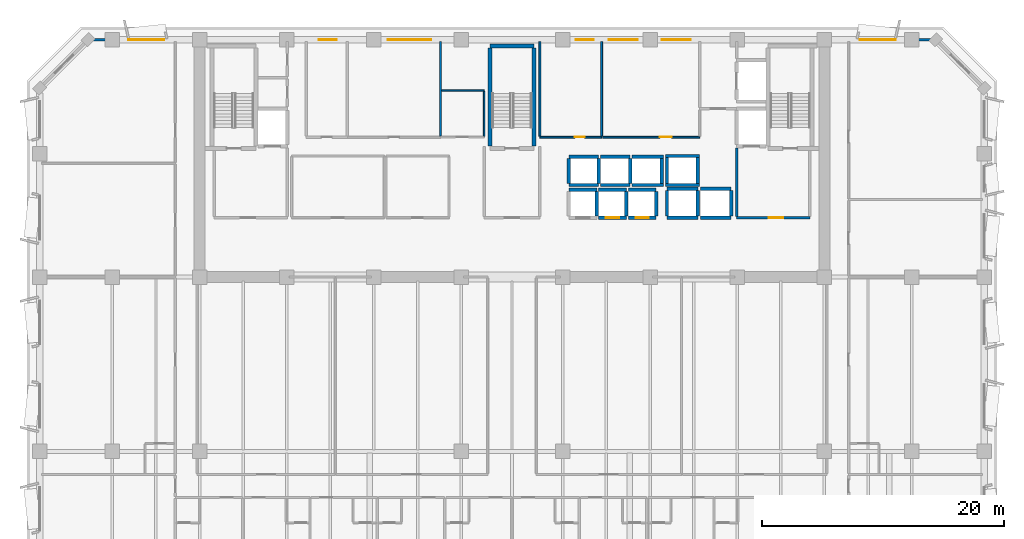
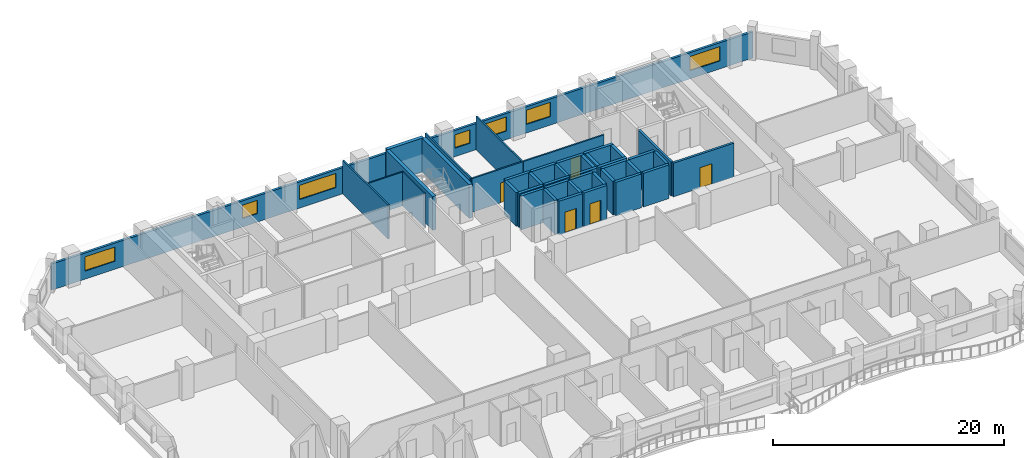
# One storey, part 8 of 15: 42 walls, 7 windows, 5 doors, 12 openings.
"""IFC4 building model written with IfcOpenShell, lengths in metres."""

from ifc_helpers import new_model, si_unit, direction, frame, frame_2d, origin, place, context, subcontext, project, spatial, rectangle, extrude, material, layer, layer_set, type_object, element, fill, save


model = new_model("IFC4")

# Units and contexts
model_context = context("Model", 3, precision=1e-05, world=origin(), true_north=direction((0.0, 1.0)))
body_context = subcontext(model_context, "Body", "Model", "MODEL_VIEW")
ifc_project = project(units=[si_unit("LENGTHUNIT", "METRE"), si_unit("AREAUNIT", "SQUARE_METRE"), si_unit("VOLUMEUNIT", "CUBIC_METRE"), si_unit("PLANEANGLEUNIT", "RADIAN"), si_unit("MASSUNIT", "GRAM", prefix="KILO")], contexts=[model_context])

# Site, building, storey
site_placement = place(None, origin())
site = spatial("IfcSite", under=ifc_project, at=site_placement, CompositionType="ELEMENT")
building_placement = place(site_placement, origin())
building = spatial("IfcBuilding", under=site, at=building_placement, Name="Kaelvorn Grand Hotel", CompositionType="ELEMENT")
storey_placement = place(building_placement, frame((0.0, 0.0, 146.75)))
storey = spatial("IfcBuildingStorey", under=building, at=storey_placement, Name="L35", CompositionType="ELEMENT", Elevation=146.75)

# Wall, openings, windows
ifc_material_1 = material(Name="Concrete C40/50", Category="concrete")
ifc_layer_1 = layer(ifc_material_1, 0.239990234375)
ifc_layer_set_1 = layer_set([ifc_layer_1], Name="Concrete C40/50")
wall_type_1 = type_object("IfcWallType", Name="WL-EXT-240-C40", PredefinedType="SOLIDWALL", material=ifc_layer_set_1)
wall_1_placement = place(storey_placement, frame((77.0, 49.0, 0.0), z_axis=(0.0, 0.0, 1.0), x_axis=(-1.0, 0.0, 0.0)))
wall_1 = element("IfcWall", 1, at=wall_1_placement, inside=storey, type_object=wall_type_1, Name="L35 Exterior Architectural Concrete Wall 05", PredefinedType="SOLIDWALL", context=body_context, shape_type="SweptSolid", body=[
    extrude(rectangle(XDim=70.0, YDim=0.239990234375, at=frame_2d((35.0, 0.0))), origin(), (0.0, 0.0, 1.0), 2.760009765625),
])
opening_1_placement = place(wall_1_placement, frame((63.699951171875, 0.0, 0.85009765625)))
opening_1 = element("IfcOpeningElement", 2, at=opening_1_placement, cuts=wall_1, Name="Opening W5", PredefinedType="OPENING", context=body_context, shape_type="SweptSolid", body=[
    extrude(rectangle(XDim=3.0, YDim=1.5, at=frame_2d((1.5, 0.75))), frame((0.0, 0.1298828125, 0.0), z_axis=(0.0, -1.0, 0.0), x_axis=(1.0, 0.0, 0.0)), (0.0, 0.0, 1.0), 0.260009765625),
])
opening_2_placement = place(wall_1_placement, frame((3.300048828125, 0.0, 0.85009765625)))
opening_2 = element("IfcOpeningElement", 3, at=opening_2_placement, cuts=wall_1, Name="Opening W5", PredefinedType="OPENING", context=body_context, shape_type="SweptSolid", body=[
    extrude(rectangle(XDim=3.0, YDim=1.5, at=frame_2d((1.5, 0.75))), frame((0.0, 0.1298828125, 0.0), z_axis=(0.0, -1.0, 0.0), x_axis=(1.0, 0.0, 0.0)), (0.0, 0.0, 1.0), 0.260009765625),
])
opening_3_placement = place(wall_1_placement, frame((49.465087890625, 0.0, 0.89990234375)))
opening_3 = element("IfcOpeningElement", 4, at=opening_3_placement, cuts=wall_1, Name="Opening W10", PredefinedType="OPENING", context=body_context, shape_type="SweptSolid", body=[
    extrude(rectangle(XDim=1.5, YDim=1.39990234375, at=frame_2d((0.75, 0.699951171875))), frame((0.0, 0.1298828125, 0.0), z_axis=(0.0, -1.0, 0.0), x_axis=(1.0, 0.0, 0.0)), (0.0, 0.0, 1.0), 0.260009765625),
])
opening_4_placement = place(wall_1_placement, frame((41.64990234375, 0.0, 0.89990234375)))
opening_4 = element("IfcOpeningElement", 5, at=opening_4_placement, cuts=wall_1, Name="Opening W3", PredefinedType="OPENING", context=body_context, shape_type="SweptSolid", body=[
    extrude(rectangle(XDim=3.60009765625, YDim=1.5, at=frame_2d((1.800048828125, 0.75))), frame((0.0, 0.1298828125, 0.0), z_axis=(0.0, -1.0, 0.0), x_axis=(1.0, 0.0, 0.0)), (0.0, 0.0, 1.0), 0.260009765625),
])
opening_5_placement = place(wall_1_placement, frame((28.25, 0.0, 0.89990234375)))
opening_5 = element("IfcOpeningElement", 6, at=opening_5_placement, cuts=wall_1, Name="Opening W10", PredefinedType="OPENING", context=body_context, shape_type="SweptSolid", body=[
    extrude(rectangle(XDim=1.5, YDim=1.39990234375, at=frame_2d((0.75, 0.699951171875))), frame((0.0, 0.1298828125, 0.0), z_axis=(0.0, -1.0, 0.0), x_axis=(1.0, 0.0, 0.0)), (0.0, 0.0, 1.0), 0.260009765625),
])
opening_6_placement = place(wall_1_placement, frame((24.60009765625, 0.0, 0.89990234375)))
opening_6 = element("IfcOpeningElement", 7, at=opening_6_placement, cuts=wall_1, Name="Opening W6", PredefinedType="OPENING", context=body_context, shape_type="SweptSolid", body=[
    extrude(rectangle(XDim=2.39990234375, YDim=1.5, at=frame_2d((1.199951171875, 0.75))), frame((0.0, 0.1298828125, 0.0), z_axis=(0.0, -1.0, 0.0), x_axis=(1.0, 0.0, 0.0)), (0.0, 0.0, 1.0), 0.260009765625),
])
opening_7_placement = place(wall_1_placement, frame((20.235107421875, 0.0, 0.89990234375)))
opening_7 = element("IfcOpeningElement", 8, at=opening_7_placement, cuts=wall_1, Name="Opening W6", PredefinedType="OPENING", context=body_context, shape_type="SweptSolid", body=[
    extrude(rectangle(XDim=2.39990234375, YDim=1.5, at=frame_2d((1.199951171875, 0.75))), frame((0.0, 0.1298828125, 0.0), z_axis=(0.0, -1.0, 0.0), x_axis=(1.0, 0.0, 0.0)), (0.0, 0.0, 1.0), 0.260009765625),
])
ifc_material_2 = material(Name="Laminated Low-E Glass", Category="glass")
window_type_1 = type_object("IfcWindowType", Name="WIN-COR-1500x1400", PartitioningType="SINGLE_PANEL", PredefinedType="WINDOW", material=ifc_material_2)
window_1_placement = place(opening_3_placement, origin())
window_1 = element("IfcWindow", 9, at=window_1_placement, inside=storey, type_object=window_type_1, Name="L35 North Core Clerestory Ribbon Window NC03", OverallHeight=1.39990234375, OverallWidth=1.5, PartitioningType="SINGLE_PANEL", PredefinedType="WINDOW", context=body_context, shape_type="SweptSolid", body=[
    extrude(rectangle(XDim=1.5, YDim=1.39990234375, at=frame_2d((0.75, 0.699951171875))), frame((0.0, 0.030029296875, 0.0), z_axis=(0.0, -1.0, 0.0), x_axis=(1.0, 0.0, 0.0)), (0.0, 0.0, 1.0), 0.06005859375),
])
fill(opening_3, window_1)
window_2_placement = place(opening_5_placement, origin())
window_2 = element("IfcWindow", 10, at=window_2_placement, inside=storey, type_object=window_type_1, Name="L35 North Core Clerestory Ribbon Window NC05", OverallHeight=1.39990234375, OverallWidth=1.5, PartitioningType="SINGLE_PANEL", PredefinedType="WINDOW", context=body_context, shape_type="SweptSolid", body=[
    extrude(rectangle(XDim=1.5, YDim=1.39990234375, at=frame_2d((0.75, 0.699951171875))), frame((0.0, 0.030029296875, 0.0), z_axis=(0.0, -1.0, 0.0), x_axis=(1.0, 0.0, 0.0)), (0.0, 0.0, 1.0), 0.06005859375),
])
fill(opening_5, window_2)
window_type_2 = type_object("IfcWindowType", Name="WIN-NTH-2400x1500", PartitioningType="SINGLE_PANEL", PredefinedType="WINDOW", material=ifc_material_2)
window_3_placement = place(opening_6_placement, origin())
window_3 = element("IfcWindow", 11, at=window_3_placement, inside=storey, type_object=window_type_2, Name="L35 North Core Clerestory Ribbon Window NC06", OverallHeight=1.5, OverallWidth=2.39990234375, PartitioningType="SINGLE_PANEL", PredefinedType="WINDOW", context=body_context, shape_type="SweptSolid", body=[
    extrude(rectangle(XDim=2.39990234375, YDim=1.5, at=frame_2d((1.199951171875, 0.75))), frame((0.0, 0.030029296875, 0.0), z_axis=(0.0, -1.0, 0.0), x_axis=(1.0, 0.0, 0.0)), (0.0, 0.0, 1.0), 0.06005859375),
])
fill(opening_6, window_3)
window_4_placement = place(opening_7_placement, origin())
window_4 = element("IfcWindow", 12, at=window_4_placement, inside=storey, type_object=window_type_2, Name="L35 North Core Clerestory Ribbon Window NC07", OverallHeight=1.5, OverallWidth=2.39990234375, PartitioningType="SINGLE_PANEL", PredefinedType="WINDOW", context=body_context, shape_type="SweptSolid", body=[
    extrude(rectangle(XDim=2.39990234375, YDim=1.5, at=frame_2d((1.199951171875, 0.75))), frame((0.0, 0.030029296875, 0.0), z_axis=(0.0, -1.0, 0.0), x_axis=(1.0, 0.0, 0.0)), (0.0, 0.0, 1.0), 0.06005859375),
])
fill(opening_7, window_4)
window_type_3 = type_object("IfcWindowType", Name="WIN-NTH-3000x1500", PartitioningType="SINGLE_PANEL", PredefinedType="WINDOW", material=ifc_material_2)
window_5_placement = place(opening_1_placement, origin())
window_5 = element("IfcWindow", 13, at=window_5_placement, inside=storey, type_object=window_type_3, Name="L35 North Wing Ribbon Window NW01", OverallHeight=1.5, OverallWidth=3.0, PartitioningType="SINGLE_PANEL", PredefinedType="WINDOW", context=body_context, shape_type="SweptSolid", body=[
    extrude(rectangle(XDim=3.0, YDim=1.5, at=frame_2d((1.5, 0.75))), frame((0.0, 0.030029296875, 0.0), z_axis=(0.0, -1.0, 0.0), x_axis=(1.0, 0.0, 0.0)), (0.0, 0.0, 1.0), 0.06005859375),
])
fill(opening_1, window_5)
window_6_placement = place(opening_2_placement, origin())
window_6 = element("IfcWindow", 14, at=window_6_placement, inside=storey, type_object=window_type_3, Name="L35 North Wing Ribbon Window NW02", OverallHeight=1.5, OverallWidth=3.0, PartitioningType="SINGLE_PANEL", PredefinedType="WINDOW", context=body_context, shape_type="SweptSolid", body=[
    extrude(rectangle(XDim=3.0, YDim=1.5, at=frame_2d((1.5, 0.75))), frame((0.0, 0.030029296875, 0.0), z_axis=(0.0, -1.0, 0.0), x_axis=(1.0, 0.0, 0.0)), (0.0, 0.0, 1.0), 0.06005859375),
])
fill(opening_2, window_6)
window_type_4 = type_object("IfcWindowType", Name="WIN-RIB-3600x1750", PartitioningType="SINGLE_PANEL", PredefinedType="WINDOW", material=ifc_material_2)
window_7_placement = place(opening_4_placement, origin())
window_7 = element("IfcWindow", 15, at=window_7_placement, inside=storey, type_object=window_type_4, Name="L35 North Core Clerestory Ribbon Window NC04", OverallHeight=1.5, OverallWidth=3.60009765625, PartitioningType="SINGLE_PANEL", PredefinedType="WINDOW", context=body_context, shape_type="SweptSolid", body=[
    extrude(rectangle(XDim=3.60009765625, YDim=1.5, at=frame_2d((1.800048828125, 0.75))), frame((0.0, 0.030029296875, 0.0), z_axis=(0.0, -1.0, 0.0), x_axis=(1.0, 0.0, 0.0)), (0.0, 0.0, 1.0), 0.06005859375),
])
fill(opening_4, window_7)

# Walls
ifc_material_3 = material(Name="Moisture-Resistant Tile & Stud Board")
ifc_layer_2 = layer(ifc_material_3, 0.125)
ifc_layer_set_2 = layer_set([ifc_layer_2], Name="Moisture-Resistant Tile & Stud Board")
wall_type_2 = type_object("IfcWallType", Name="WL-PART-125-WET", PredefinedType="PARTITIONING", material=ifc_layer_set_2)
wall_2_placement = place(storey_placement, frame((36.179931640625, 44.800048828125, 0.0), z_axis=(0.0, 0.0, 1.0), x_axis=(1.0, 0.0, 0.0)))
element("IfcWall", 16, at=wall_2_placement, inside=storey, type_object=wall_type_2, Name="L35 Accessible WC N Partition", PredefinedType="PARTITIONING", context=body_context, shape_type="SweptSolid", body=[
    extrude(rectangle(XDim=3.52001953125, YDim=0.125, at=frame_2d((1.760009765625, 0.0))), origin(), (0.0, 0.0, 1.0), 3.56005859375),
])
wall_3_placement = place(storey_placement, frame((39.699951171875, 41.017578125, 0.0), z_axis=(0.0, 0.0, 1.0), x_axis=(0.0, 1.0, 0.0)))
element("IfcWall", 17, at=wall_3_placement, inside=storey, type_object=wall_type_2, Name="L35 Accessible WC E Partition", PredefinedType="PARTITIONING", context=body_context, shape_type="SweptSolid", body=[
    extrude(rectangle(XDim=3.71484375, YDim=0.125, at=frame_2d((1.857421875, 0.0))), origin(), (0.0, 0.0, 1.0), 3.56005859375),
])
ifc_material_4 = material(Name="Acoustic Gypsum & Stud Partition")
ifc_layer_3 = layer(ifc_material_4, 0.14990234375)
ifc_layer_set_3 = layer_set([ifc_layer_3], Name="Acoustic Gypsum & Stud Partition")
wall_type_3 = type_object("IfcWallType", Name="WL-PART-150-EI60", PredefinedType="PARTITIONING", material=ifc_layer_set_3)
wall_4_placement = place(storey_placement, frame((36.10009765625, 41.030029296875, 0.0), z_axis=(0.0, 0.0, 1.0), x_axis=(0.0, 1.0, 0.0)))
element("IfcWall", 18, at=wall_4_placement, inside=storey, type_object=wall_type_3, Name="L35 Housekeeping & Linen Room E Partition", PredefinedType="PARTITIONING", context=body_context, shape_type="SweptSolid", body=[
    extrude(rectangle(XDim=7.820068359375, YDim=0.14990234375, at=frame_2d((3.91015625, 0.0))), origin(), (0.0, 0.0, 1.0), 3.56005859375),
])

# Wall, opening, door
wall_5_placement = place(storey_placement, frame((44.300048828125, 40.949951171875, 0.0), z_axis=(0.0, 0.0, 1.0), x_axis=(1.0, 0.0, 0.0)))
wall_5 = element("IfcWall", 19, at=wall_5_placement, inside=storey, type_object=wall_type_3, Name="L35 Laundry Chute Vestibule S Partition", PredefinedType="PARTITIONING", context=body_context, shape_type="SweptSolid", body=[
    extrude(rectangle(XDim=5.099853515625, YDim=0.14990234375, at=frame_2d((2.5498046875, 0.0))), origin(), (0.0, 0.0, 1.0), 3.56005859375),
])
opening_8_placement = place(wall_5_placement, frame((2.875, 0.0, 0.0)))
opening_8 = element("IfcOpeningElement", 20, at=opening_8_placement, cuts=wall_5, Name="Opening DI7", PredefinedType="OPENING", context=body_context, shape_type="SweptSolid", body=[
    extrude(rectangle(XDim=0.85009765625, YDim=2.10009765625, at=frame_2d((0.425048828125, 1.050048828125))), frame((0.0, 0.0849609375, 0.0), z_axis=(0.0, -1.0, 0.0), x_axis=(1.0, 0.0, 0.0)), (0.0, 0.0, 1.0), 0.169921875),
])
ifc_material_5 = material(Name="Powder-Coated Steel Leaf", Category="steel")
door_type_1 = type_object("IfcDoorType", Name="DR-INT-RISER-850x2100", OperationType="NOTDEFINED", PredefinedType="DOOR", material=ifc_material_5)
door_1_placement = place(opening_8_placement, origin())
door_1 = element("IfcDoor", 21, at=door_1_placement, inside=storey, type_object=door_type_1, Name="L35 Laundry Chute Vestibule Door", OperationType="SINGLE_SWING_LEFT", OverallHeight=2.10009765625, OverallWidth=0.85009765625, PredefinedType="DOOR", context=body_context, shape_type="SweptSolid", body=[
    extrude(rectangle(XDim=0.85009765625, YDim=2.10009765625, at=frame_2d((0.425048828125, 1.050048828125))), frame((0.0, 0.02490234375, 0.0), z_axis=(0.0, -1.0, 0.0), x_axis=(1.0, 0.0, 0.0)), (0.0, 0.0, 1.0), 0.050048828125),
])
fill(opening_8, door_1)

# Walls
for number, where, z_axis, x_axis, name in (
    (22, (44.300048828125, 41.030029296875, 0.0), (0.0, 0.0, 1.0), (0.0, 1.0, 0.0), "L35 Laundry Chute Vestibule W Partition"),
    (23, (49.39990234375, 41.030029296875, 0.0), (0.0, 0.0, 1.0), (0.0, 1.0, 0.0), "L35 Laundry Chute Vestibule E Partition"),
):
    element("IfcWall", number, at=place(storey_placement, frame(where, z_axis=z_axis, x_axis=x_axis)), inside=storey, type_object=wall_type_3, Name=name, PredefinedType="PARTITIONING", context=body_context, shape_type="SweptSolid", body=[
        extrude(rectangle(XDim=7.820068359375, YDim=0.14990234375, at=frame_2d((3.91015625, 0.0))), origin(), (0.0, 0.0, 1.0), 3.56005859375),
    ])

# Wall, opening, door
wall_6_placement = place(storey_placement, frame((49.47998046875, 40.949951171875, 0.0), z_axis=(0.0, 0.0, 1.0), x_axis=(1.0, 0.0, 0.0)))
wall_6 = element("IfcWall", 24, at=wall_6_placement, inside=storey, type_object=wall_type_3, Name="L35 Butler Servery Pantry S Partition", PredefinedType="PARTITIONING", context=body_context, shape_type="SweptSolid", body=[
    extrude(rectangle(XDim=8.02001953125, YDim=0.14990234375, at=frame_2d((4.010009765625, 0.0))), origin(), (0.0, 0.0, 1.0), 3.56005859375),
])
opening_9_placement = place(wall_6_placement, frame((4.719970703125, 0.0, 0.0)))
opening_9 = element("IfcOpeningElement", 25, at=opening_9_placement, cuts=wall_6, Name="Opening DI3", PredefinedType="OPENING", context=body_context, shape_type="SweptSolid", body=[
    extrude(rectangle(XDim=1.0, YDim=2.14990234375, at=frame_2d((0.5, 1.074951171875))), frame((0.0, 0.0849609375, 0.0), z_axis=(0.0, -1.0, 0.0), x_axis=(1.0, 0.0, 0.0)), (0.0, 0.0, 1.0), 0.169921875),
])
ifc_material_6 = material(Name="Timber Veneer Fire Leaf", Category="wood")
door_type_2 = type_object("IfcDoorType", Name="DR-INT-GUEST-1000x2150", OperationType="NOTDEFINED", PredefinedType="DOOR", material=ifc_material_6)
door_2_placement = place(opening_9_placement, origin())
door_2 = element("IfcDoor", 26, at=door_2_placement, inside=storey, type_object=door_type_2, Name="L35 Butler Servery Pantry Door", OperationType="SINGLE_SWING_RIGHT", OverallHeight=2.14990234375, OverallWidth=1.0, PredefinedType="DOOR", context=body_context, shape_type="SweptSolid", body=[
    extrude(rectangle(XDim=1.0, YDim=2.14990234375, at=frame_2d((0.5, 1.074951171875))), frame((0.0, 0.02490234375, 0.0), z_axis=(0.0, -1.0, 0.0), x_axis=(1.0, 0.0, 0.0)), (0.0, 0.0, 1.0), 0.050048828125),
])
fill(opening_9, door_2)

ifc_layer_4 = layer(ifc_material_1, 0.219970703125)
ifc_layer_set_4 = layer_set([ifc_layer_4], Name="Concrete C40/50")
wall_type_4 = type_object("IfcWallType", Name="WL-PART-220-EI120", PredefinedType="PARTITIONING", material=ifc_layer_set_4)
wall_7_placement = place(storey_placement, frame((60.550048828125, 34.300048828125, 0.0), z_axis=(0.0, 0.0, 1.0), x_axis=(1.0, 0.0, 0.0)))
wall_7 = element("IfcWall", 27, at=wall_7_placement, inside=storey, type_object=wall_type_4, Name="L35 Firefighting Lift Lobby 2 S Partition", PredefinedType="PARTITIONING", context=body_context, shape_type="SweptSolid", body=[
    extrude(rectangle(XDim=6.050048828125, YDim=0.219970703125, at=frame_2d((3.02490234375, 0.0))), origin(), (0.0, 0.0, 1.0), 3.56005859375),
])
opening_10_placement = place(wall_7_placement, frame((2.64990234375, 0.0, 0.0)))
opening_10 = element("IfcOpeningElement", 28, at=opening_10_placement, cuts=wall_7, Name="Opening DI2", PredefinedType="OPENING", context=body_context, shape_type="SweptSolid", body=[
    extrude(rectangle(XDim=1.199951171875, YDim=2.14990234375, at=frame_2d((0.60009765625, 1.074951171875))), frame((0.0, 0.1201171875, 0.0), z_axis=(0.0, -1.0, 0.0), x_axis=(1.0, 0.0, 0.0)), (0.0, 0.0, 1.0), 0.239990234375),
])
door_type_3 = type_object("IfcDoorType", Name="DR-INT-FFLOB-1200x2150", OperationType="NOTDEFINED", PredefinedType="DOOR", material=ifc_material_6)
door_3_placement = place(opening_10_placement, origin())
door_3 = element("IfcDoor", 29, at=door_3_placement, inside=storey, type_object=door_type_3, Name="L35 Firefighting Lift Lobby 2 Door", OperationType="SINGLE_SWING_LEFT", OverallHeight=2.14990234375, OverallWidth=1.199951171875, PredefinedType="DOOR", context=body_context, shape_type="SweptSolid", body=[
    extrude(rectangle(XDim=1.199951171875, YDim=2.14990234375, at=frame_2d((0.60009765625, 1.074951171875))), frame((0.0, 0.02490234375, 0.0), z_axis=(0.0, -1.0, 0.0), x_axis=(1.0, 0.0, 0.0)), (0.0, 0.0, 1.0), 0.050048828125),
])
fill(opening_10, door_3)

# Walls
wall_8_placement = place(storey_placement, frame((60.550048828125, 34.4150390625, 0.0), z_axis=(0.0, 0.0, 1.0), x_axis=(0.0, 1.0, 0.0)))
element("IfcWall", 30, at=wall_8_placement, inside=storey, type_object=wall_type_4, Name="L35 Firefighting Lift Lobby 2 W Partition", PredefinedType="PARTITIONING", context=body_context, shape_type="SweptSolid", body=[
    extrude(rectangle(XDim=5.639892578125, YDim=0.219970703125, at=frame_2d((2.81982421875, 0.0))), origin(), (0.0, 0.0, 1.0), 3.56005859375),
])
ifc_material_7 = material(Name="Concrete C50/60", Category="concrete")
ifc_layer_5 = layer(ifc_material_7, 0.280029296875)
ifc_layer_set_5 = layer_set([ifc_layer_5], Name="Concrete C50/60")
wall_type_5 = type_object("IfcWallType", Name="WL-SHAFT-280-C50", PredefinedType="SHEAR", material=ifc_layer_set_5)
wall_9_placement = place(storey_placement, frame((46.699951171875, 36.60009765625, 0.0), z_axis=(0.0, 0.0, 1.0), x_axis=(1.0, 0.0, 0.0)))
element("IfcWall", 31, at=wall_9_placement, inside=storey, type_object=wall_type_5, Name="L35 Lift PL-M1 Shaft North Wall", PredefinedType="SHEAR", context=body_context, shape_type="SweptSolid", body=[
    extrude(rectangle(XDim=2.300048828125, YDim=0.280029296875, at=frame_2d((1.14990234375, 0.0))), origin(), (0.0, 0.0, 1.0), 3.56005859375),
])
wall_10_placement = place(storey_placement, frame((49.0, 34.445068359375, 0.0), z_axis=(0.0, 0.0, 1.0), x_axis=(0.0, 1.0, 0.0)))
element("IfcWall", 32, at=wall_10_placement, inside=storey, type_object=wall_type_5, Name="L35 Lift PL-M1 Shaft East Wall", PredefinedType="SHEAR", context=body_context, shape_type="SweptSolid", body=[
    extrude(rectangle(XDim=2.010009765625, YDim=0.280029296875, at=frame_2d((1.0048828125, 0.0))), origin(), (0.0, 0.0, 1.0), 3.56005859375),
])

# Wall, opening, door
wall_11_placement = place(storey_placement, frame((49.14990234375, 34.300048828125, 0.0), z_axis=(0.0, 0.0, 1.0), x_axis=(1.0, 0.0, 0.0)))
wall_11 = element("IfcWall", 33, at=wall_11_placement, inside=storey, type_object=wall_type_5, Name="L35 Lift PL-M2 Shaft South Wall", PredefinedType="SHEAR", context=body_context, shape_type="SweptSolid", body=[
    extrude(rectangle(XDim=2.300048828125, YDim=0.280029296875, at=frame_2d((1.14990234375, 0.0))), origin(), (0.0, 0.0, 1.0), 3.56005859375),
])
opening_11_placement = place(wall_11_placement, frame((0.60009765625, 0.0, 0.0)))
opening_11 = element("IfcOpeningElement", 34, at=opening_11_placement, cuts=wall_11, Name="Opening LD-PL-M2", PredefinedType="OPENING", context=body_context, shape_type="SweptSolid", body=[
    extrude(rectangle(XDim=1.10009765625, YDim=2.199951171875, at=frame_2d((0.550048828125, 1.10009765625))), frame((0.0, 0.14990234375, 0.0), z_axis=(0.0, -1.0, 0.0), x_axis=(1.0, 0.0, 0.0)), (0.0, 0.0, 1.0), 0.300048828125),
])
ifc_material_8 = material(Name="Stainless Steel", Category="steel")
door_type_4 = type_object("IfcDoorType", Name="DR-LIFT-PASS-1100x2200", OperationType="DOUBLE_DOOR_SLIDING", PredefinedType="DOOR", material=ifc_material_8)
door_4_placement = place(opening_11_placement, origin())
door_4 = element("IfcDoor", 35, at=door_4_placement, inside=storey, type_object=door_type_4, Name="L35 Lift PL-M2 Sliding Landing Door LD-PL-M2", OperationType="DOUBLE_DOOR_SLIDING", OverallHeight=2.199951171875, OverallWidth=1.10009765625, PredefinedType="DOOR", context=body_context, shape_type="SweptSolid", body=[
    extrude(rectangle(XDim=1.10009765625, YDim=2.199951171875, at=frame_2d((0.550048828125, 1.10009765625))), frame((0.0, 0.02490234375, 0.0), z_axis=(0.0, -1.0, 0.0), x_axis=(1.0, 0.0, 0.0)), (0.0, 0.0, 1.0), 0.050048828125),
])
fill(opening_11, door_4)

# Walls
wall_12_placement = place(storey_placement, frame((49.14990234375, 36.60009765625, 0.0), z_axis=(0.0, 0.0, 1.0), x_axis=(1.0, 0.0, 0.0)))
element("IfcWall", 36, at=wall_12_placement, inside=storey, type_object=wall_type_5, Name="L35 Lift PL-M2 Shaft North Wall", PredefinedType="SHEAR", context=body_context, shape_type="SweptSolid", body=[
    extrude(rectangle(XDim=2.300048828125, YDim=0.280029296875, at=frame_2d((1.14990234375, 0.0))), origin(), (0.0, 0.0, 1.0), 3.56005859375),
])
wall_13_placement = place(storey_placement, frame((51.449951171875, 34.445068359375, 0.0), z_axis=(0.0, 0.0, 1.0), x_axis=(0.0, 1.0, 0.0)))
element("IfcWall", 37, at=wall_13_placement, inside=storey, type_object=wall_type_5, Name="L35 Lift PL-M2 Shaft East Wall", PredefinedType="SHEAR", context=body_context, shape_type="SweptSolid", body=[
    extrude(rectangle(XDim=2.010009765625, YDim=0.280029296875, at=frame_2d((1.0048828125, 0.0))), origin(), (0.0, 0.0, 1.0), 3.56005859375),
])

# Wall, opening, door
wall_14_placement = place(storey_placement, frame((51.60009765625, 34.300048828125, 0.0), z_axis=(0.0, 0.0, 1.0), x_axis=(1.0, 0.0, 0.0)))
wall_14 = element("IfcWall", 38, at=wall_14_placement, inside=storey, type_object=wall_type_5, Name="L35 Lift PL-M3 Shaft South Wall", PredefinedType="SHEAR", context=body_context, shape_type="SweptSolid", body=[
    extrude(rectangle(XDim=2.2998046875, YDim=0.280029296875, at=frame_2d((1.14990234375, 0.0))), origin(), (0.0, 0.0, 1.0), 3.56005859375),
])
opening_12_placement = place(wall_14_placement, frame((0.60009765625, 0.0, 0.0)))
opening_12 = element("IfcOpeningElement", 39, at=opening_12_placement, cuts=wall_14, Name="Opening LD-PL-M3", PredefinedType="OPENING", context=body_context, shape_type="SweptSolid", body=[
    extrude(rectangle(XDim=1.10009765625, YDim=2.199951171875, at=frame_2d((0.550048828125, 1.10009765625))), frame((0.0, 0.14990234375, 0.0), z_axis=(0.0, -1.0, 0.0), x_axis=(1.0, 0.0, 0.0)), (0.0, 0.0, 1.0), 0.300048828125),
])
door_5_placement = place(opening_12_placement, origin())
door_5 = element("IfcDoor", 40, at=door_5_placement, inside=storey, type_object=door_type_4, Name="L35 Lift PL-M3 Sliding Landing Door LD-PL-M3", OperationType="DOUBLE_DOOR_SLIDING", OverallHeight=2.199951171875, OverallWidth=1.10009765625, PredefinedType="DOOR", context=body_context, shape_type="SweptSolid", body=[
    extrude(rectangle(XDim=1.10009765625, YDim=2.199951171875, at=frame_2d((0.550048828125, 1.10009765625))), frame((0.0, 0.02490234375, 0.0), z_axis=(0.0, -1.0, 0.0), x_axis=(1.0, 0.0, 0.0)), (0.0, 0.0, 1.0), 0.050048828125),
])
fill(opening_12, door_5)

# Walls
wall_15_placement = place(storey_placement, frame((51.60009765625, 36.60009765625, 0.0), z_axis=(0.0, 0.0, 1.0), x_axis=(1.0, 0.0, 0.0)))
element("IfcWall", 41, at=wall_15_placement, inside=storey, type_object=wall_type_5, Name="L35 Lift PL-M3 Shaft North Wall", PredefinedType="SHEAR", context=body_context, shape_type="SweptSolid", body=[
    extrude(rectangle(XDim=2.2998046875, YDim=0.280029296875, at=frame_2d((1.14990234375, 0.0))), origin(), (0.0, 0.0, 1.0), 3.56005859375),
])
wall_16_placement = place(storey_placement, frame((53.89990234375, 34.445068359375, 0.0), z_axis=(0.0, 0.0, 1.0), x_axis=(0.0, 1.0, 0.0)))
element("IfcWall", 42, at=wall_16_placement, inside=storey, type_object=wall_type_5, Name="L35 Lift PL-M3 Shaft East Wall", PredefinedType="SHEAR", context=body_context, shape_type="SweptSolid", body=[
    extrude(rectangle(XDim=2.010009765625, YDim=0.280029296875, at=frame_2d((1.0048828125, 0.0))), origin(), (0.0, 0.0, 1.0), 3.56005859375),
])
for number, where, z_axis, x_axis, name in (
    (43, (46.699951171875, 37.0, 0.0), (0.0, 0.0, 1.0), (1.0, 0.0, 0.0), "L35 Lift SL-1 Shaft South Wall"),
    (44, (46.699951171875, 39.35009765625, 0.0), (0.0, 0.0, 1.0), (1.0, 0.0, 0.0), "L35 Lift SL-1 Shaft North Wall"),
):
    element("IfcWall", number, at=place(storey_placement, frame(where, z_axis=z_axis, x_axis=x_axis)), inside=storey, type_object=wall_type_5, Name=name, PredefinedType="SHEAR", context=body_context, shape_type="SweptSolid", body=[
        extrude(rectangle(XDim=2.449951171875, YDim=0.280029296875, at=frame_2d((1.22509765625, 0.0))), origin(), (0.0, 0.0, 1.0), 3.56005859375),
    ])
for number, where, z_axis, x_axis, name in (
    (45, (46.699951171875, 37.14501953125, 0.0), (0.0, 0.0, 1.0), (0.0, 1.0, 0.0), "L35 Lift SL-1 Shaft West Wall"),
    (46, (49.14990234375, 37.14501953125, 0.0), (0.0, 0.0, 1.0), (0.0, 1.0, 0.0), "L35 Lift SL-1 Shaft East Wall"),
):
    element("IfcWall", number, at=place(storey_placement, frame(where, z_axis=z_axis, x_axis=x_axis)), inside=storey, type_object=wall_type_5, Name=name, PredefinedType="SHEAR", context=body_context, shape_type="SweptSolid", body=[
        extrude(rectangle(XDim=2.06005859375, YDim=0.280029296875, at=frame_2d((1.030029296875, 0.0))), origin(), (0.0, 0.0, 1.0), 3.56005859375),
    ])
for number, where, z_axis, x_axis, name in (
    (47, (49.300048828125, 37.0, 0.0), (0.0, 0.0, 1.0), (1.0, 0.0, 0.0), "L35 Lift SL-2 Shaft South Wall"),
    (48, (49.300048828125, 39.35009765625, 0.0), (0.0, 0.0, 1.0), (1.0, 0.0, 0.0), "L35 Lift SL-2 Shaft North Wall"),
):
    element("IfcWall", number, at=place(storey_placement, frame(where, z_axis=z_axis, x_axis=x_axis)), inside=storey, type_object=wall_type_5, Name=name, PredefinedType="SHEAR", context=body_context, shape_type="SweptSolid", body=[
        extrude(rectangle(XDim=2.449951171875, YDim=0.280029296875, at=frame_2d((1.22509765625, 0.0))), origin(), (0.0, 0.0, 1.0), 3.56005859375),
    ])
wall_17_placement = place(storey_placement, frame((51.75, 37.14501953125, 0.0), z_axis=(0.0, 0.0, 1.0), x_axis=(0.0, 1.0, 0.0)))
element("IfcWall", 49, at=wall_17_placement, inside=storey, type_object=wall_type_5, Name="L35 Lift SL-2 Shaft East Wall", PredefinedType="SHEAR", context=body_context, shape_type="SweptSolid", body=[
    extrude(rectangle(XDim=2.06005859375, YDim=0.280029296875, at=frame_2d((1.030029296875, 0.0))), origin(), (0.0, 0.0, 1.0), 3.56005859375),
])
for number, where, z_axis, x_axis, name in (
    (50, (51.89990234375, 37.0, 0.0), (0.0, 0.0, 1.0), (1.0, 0.0, 0.0), "L35 Lift SL-3 Shaft South Wall"),
    (51, (51.89990234375, 39.35009765625, 0.0), (0.0, 0.0, 1.0), (1.0, 0.0, 0.0), "L35 Lift SL-3 Shaft North Wall"),
):
    element("IfcWall", number, at=place(storey_placement, frame(where, z_axis=z_axis, x_axis=x_axis)), inside=storey, type_object=wall_type_5, Name=name, PredefinedType="SHEAR", context=body_context, shape_type="SweptSolid", body=[
        extrude(rectangle(XDim=2.590087890625, YDim=0.280029296875, at=frame_2d((1.294921875, 0.0))), origin(), (0.0, 0.0, 1.0), 3.56005859375),
    ])
wall_18_placement = place(storey_placement, frame((54.35009765625, 37.14501953125, 0.0), z_axis=(0.0, 0.0, 1.0), x_axis=(0.0, 1.0, 0.0)))
element("IfcWall", 52, at=wall_18_placement, inside=storey, type_object=wall_type_5, Name="L35 Lift SL-3 Shaft East Wall", PredefinedType="SHEAR", context=body_context, shape_type="SweptSolid", body=[
    extrude(rectangle(XDim=2.06005859375, YDim=0.280029296875, at=frame_2d((1.030029296875, 0.0))), origin(), (0.0, 0.0, 1.0), 3.56005859375),
])
for number, where, z_axis, x_axis, name in (
    (53, (54.800048828125, 34.300048828125, 0.0), (0.0, 0.0, 1.0), (1.0, 0.0, 0.0), "L35 Lift OL-1 Shaft South Wall"),
    (54, (54.800048828125, 36.699951171875, 0.0), (0.0, 0.0, 1.0), (1.0, 0.0, 0.0), "L35 Lift OL-1 Shaft North Wall"),
):
    element("IfcWall", number, at=place(storey_placement, frame(where, z_axis=z_axis, x_axis=x_axis)), inside=storey, type_object=wall_type_5, Name=name, PredefinedType="SHEAR", context=body_context, shape_type="SweptSolid", body=[
        extrude(rectangle(XDim=2.550048828125, YDim=0.280029296875, at=frame_2d((1.27490234375, 0.0))), origin(), (0.0, 0.0, 1.0), 3.56005859375),
    ])
for number, where, z_axis, x_axis, name in (
    (55, (54.800048828125, 34.445068359375, 0.0), (0.0, 0.0, 1.0), (0.0, 1.0, 0.0), "L35 Lift OL-1 Shaft West Wall"),
    (56, (57.35009765625, 34.445068359375, 0.0), (0.0, 0.0, 1.0), (0.0, 1.0, 0.0), "L35 Lift OL-1 Shaft East Wall"),
):
    element("IfcWall", number, at=place(storey_placement, frame(where, z_axis=z_axis, x_axis=x_axis)), inside=storey, type_object=wall_type_5, Name=name, PredefinedType="SHEAR", context=body_context, shape_type="SweptSolid", body=[
        extrude(rectangle(XDim=2.10986328125, YDim=0.280029296875, at=frame_2d((1.054931640625, 0.0))), origin(), (0.0, 0.0, 1.0), 3.56005859375),
    ])
for number, where, z_axis, x_axis, name in (
    (57, (57.550048828125, 34.300048828125, 0.0), (0.0, 0.0, 1.0), (1.0, 0.0, 0.0), "L35 Lift OL-2 Shaft South Wall"),
    (58, (57.550048828125, 36.699951171875, 0.0), (0.0, 0.0, 1.0), (1.0, 0.0, 0.0), "L35 Lift OL-2 Shaft North Wall"),
):
    element("IfcWall", number, at=place(storey_placement, frame(where, z_axis=z_axis, x_axis=x_axis)), inside=storey, type_object=wall_type_5, Name=name, PredefinedType="SHEAR", context=body_context, shape_type="SweptSolid", body=[
        extrude(rectangle(XDim=2.550048828125, YDim=0.280029296875, at=frame_2d((1.27490234375, 0.0))), origin(), (0.0, 0.0, 1.0), 3.56005859375),
    ])
wall_19_placement = place(storey_placement, frame((60.10009765625, 34.445068359375, 0.0), z_axis=(0.0, 0.0, 1.0), x_axis=(0.0, 1.0, 0.0)))
element("IfcWall", 59, at=wall_19_placement, inside=storey, type_object=wall_type_5, Name="L35 Lift OL-2 Shaft East Wall", PredefinedType="SHEAR", context=body_context, shape_type="SweptSolid", body=[
    extrude(rectangle(XDim=2.10986328125, YDim=0.280029296875, at=frame_2d((1.054931640625, 0.0))), origin(), (0.0, 0.0, 1.0), 3.56005859375),
])
for number, where, z_axis, x_axis, name in (
    (60, (54.659912109375, 37.0, 0.0), (0.0, 0.0, 1.0), (1.0, 0.0, 0.0), "L35 Lift OL-3 Shaft South Wall"),
    (61, (54.659912109375, 39.39990234375, 0.0), (0.0, 0.0, 1.0), (1.0, 0.0, 0.0), "L35 Lift OL-3 Shaft North Wall"),
):
    element("IfcWall", number, at=place(storey_placement, frame(where, z_axis=z_axis, x_axis=x_axis)), inside=storey, type_object=wall_type_5, Name=name, PredefinedType="SHEAR", context=body_context, shape_type="SweptSolid", body=[
        extrude(rectangle(XDim=2.830078125, YDim=0.280029296875, at=frame_2d((1.4150390625, 0.0))), origin(), (0.0, 0.0, 1.0), 3.56005859375),
    ])
for number, where, z_axis, x_axis, name in (
    (62, (54.800048828125, 37.14501953125, 0.0), (0.0, 0.0, 1.0), (0.0, 1.0, 0.0), "L35 Lift OL-3 Shaft West Wall"),
    (63, (57.35009765625, 37.14501953125, 0.0), (0.0, 0.0, 1.0), (0.0, 1.0, 0.0), "L35 Lift OL-3 Shaft East Wall"),
):
    element("IfcWall", number, at=place(storey_placement, frame(where, z_axis=z_axis, x_axis=x_axis)), inside=storey, type_object=wall_type_5, Name=name, PredefinedType="SHEAR", context=body_context, shape_type="SweptSolid", body=[
        extrude(rectangle(XDim=2.10986328125, YDim=0.280029296875, at=frame_2d((1.054931640625, 0.0))), origin(), (0.0, 0.0, 1.0), 3.56005859375),
    ])
ifc_material_9 = material(Name="Concrete C60/75", Category="concrete")
ifc_layer_6 = layer(ifc_material_9, 0.35009765625)
ifc_layer_set_6 = layer_set([ifc_layer_6], Name="Concrete C60/75")
wall_type_6 = type_object("IfcWallType", Name="WL-SHAFT-350-C60", PredefinedType="SHEAR", material=ifc_layer_set_6)
wall_20_placement = place(storey_placement, frame((40.18505859375, 48.47509765625, 0.0), z_axis=(0.0, 0.0, 1.0), x_axis=(1.0, 0.0, 0.0)))
element("IfcWall", 64, at=wall_20_placement, inside=storey, type_object=wall_type_6, Name="L35 ST2 Stair Shaft North Wall", PredefinedType="SHEAR", context=body_context, shape_type="SweptSolid", body=[
    extrude(rectangle(XDim=3.6298828125, YDim=0.35009765625, at=frame_2d((1.81494140625, 0.0))), origin(), (0.0, 0.0, 1.0), 3.56005859375),
])
for number, where, z_axis, x_axis, name in (
    (65, (40.18505859375, 40.205078125, 0.0), (0.0, 0.0, 1.0), (0.0, 1.0, 0.0), "L35 ST2 Stair Shaft West Wall"),
    (66, (43.81494140625, 40.205078125, 0.0), (0.0, 0.0, 1.0), (0.0, 1.0, 0.0), "L35 ST2 Stair Shaft East Wall"),
):
    element("IfcWall", number, at=place(storey_placement, frame(where, z_axis=z_axis, x_axis=x_axis)), inside=storey, type_object=wall_type_6, Name=name, PredefinedType="SHEAR", context=body_context, shape_type="SweptSolid", body=[
        extrude(rectangle(XDim=8.08984375, YDim=0.35009765625, at=frame_2d((4.044921875, 0.0))), origin(), (0.0, 0.0, 1.0), 3.56005859375),
    ])

save(model, "model.ifc")
